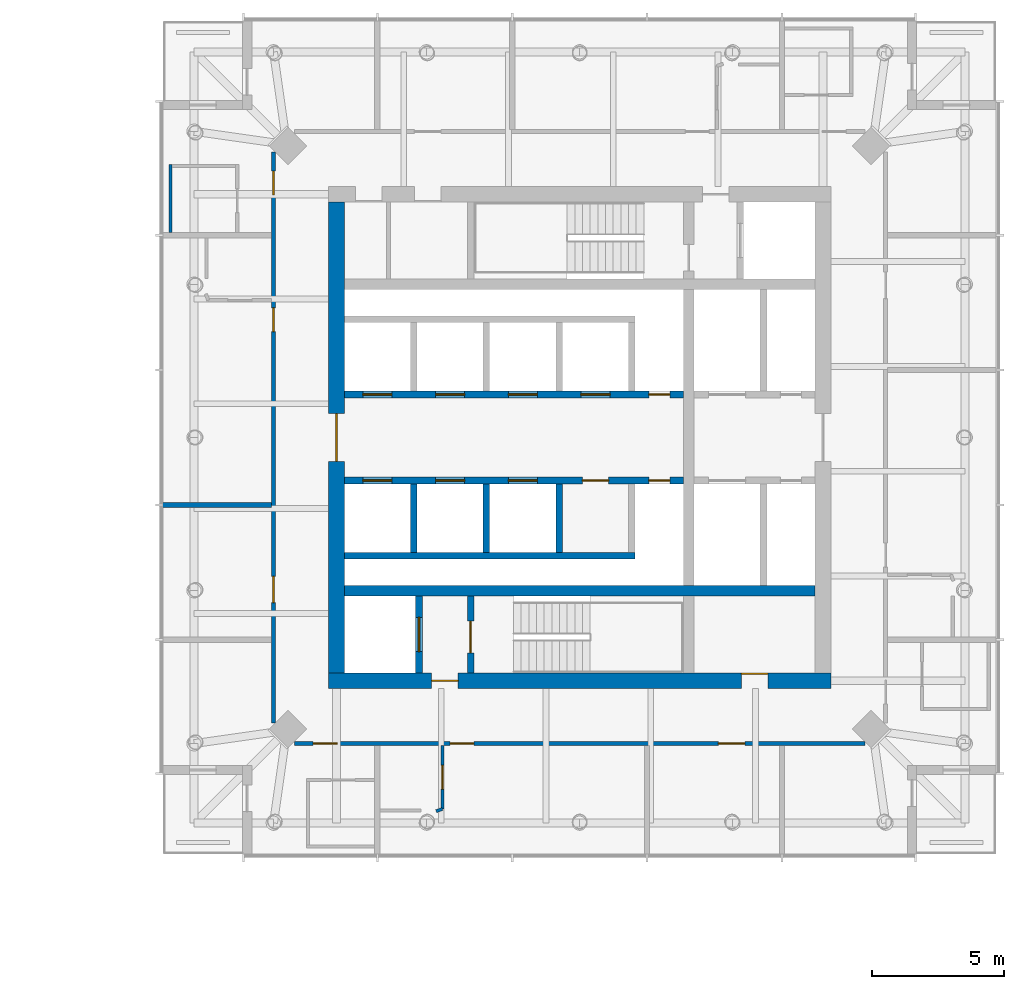
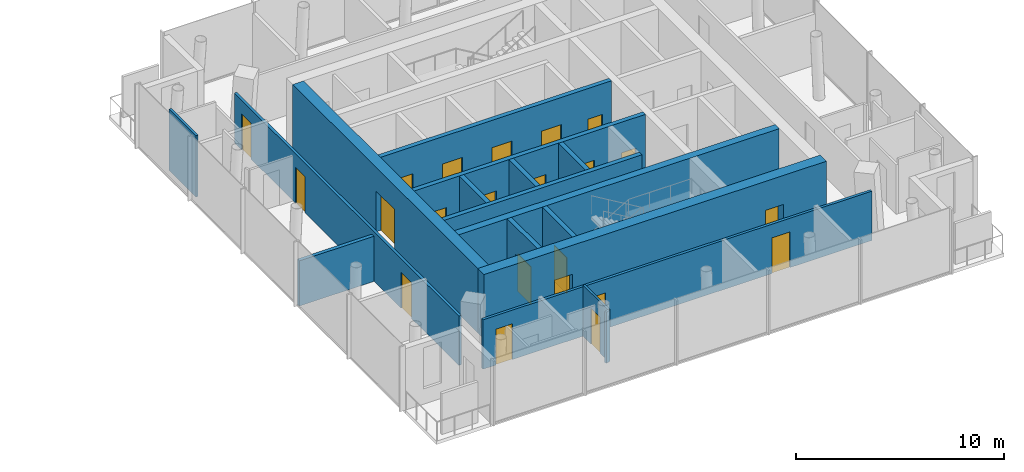
# One storey, part 13 of 18: 22 doors, 17 walls, 22 openings.
"""IFC4 building model written with IfcOpenShell, lengths in metres."""

from ifc_helpers import new_model, si_unit, direction, frame, frame_2d, origin, place, context, subcontext, project, spatial, rectangle, extrude, material, layer, layer_set, type_object, element, fill, save


model = new_model("IFC4")

# Units and contexts
model_context = context("Model", 3, precision=1e-05, world=origin(), true_north=direction((0.0, 1.0)))
body_context = subcontext(model_context, "Body", "Model", "MODEL_VIEW")
ifc_project = project(units=[si_unit("LENGTHUNIT", "METRE"), si_unit("AREAUNIT", "SQUARE_METRE"), si_unit("VOLUMEUNIT", "CUBIC_METRE"), si_unit("PLANEANGLEUNIT", "RADIAN"), si_unit("MASSUNIT", "GRAM", prefix="KILO")], contexts=[model_context])

# Site, building, storey
site_placement = place(None, origin())
site = spatial("IfcSite", under=ifc_project, at=site_placement, CompositionType="ELEMENT")
building_placement = place(site_placement, origin())
building = spatial("IfcBuilding", under=site, at=building_placement, Name="Ostroluk Exchange", CompositionType="ELEMENT")
storey_placement = place(building_placement, frame((0.0, 0.0, 123.60009765625)))
storey = spatial("IfcBuildingStorey", under=building, at=storey_placement, Name="L31", CompositionType="ELEMENT", Elevation=123.60009765625)

# Wall
ifc_material_1 = material(Name="Concrete C50/60", Category="concrete")
ifc_layer_1 = layer(ifc_material_1, 0.39990234375)
ifc_layer_set_1 = layer_set([ifc_layer_1], Name="Core cross wall 400 C50/60")
wall_type_1 = type_object("IfcWallType", Name="Core cross wall 400 C50/60", PredefinedType="SHEAR", material=ifc_layer_set_1)
wall_1_placement = place(storey_placement, frame((108.10009765625, 40.199951171875, 0.0), z_axis=(0.0, 0.0, 1.0), x_axis=(1.0, 0.0, 0.0)))
element("IfcWall", 1, at=wall_1_placement, inside=storey, type_object=wall_type_1, Name="T2 core wall XS", PredefinedType="SHEAR", context=body_context, shape_type="SweptSolid", body=[
    extrude(rectangle(XDim=17.7998046875, YDim=0.39990234375, at=frame_2d((8.89990234375, 0.0))), origin(), (0.0, 0.0, 1.0), 3.7998046875),
])

# Wall, opening, door
ifc_material_2 = material(Name="Concrete C40/50", Category="concrete")
ifc_layer_2 = layer(ifc_material_2, 0.25)
ifc_layer_set_2 = layer_set([ifc_layer_2], Name="Core shaft wall 250")
wall_type_2 = type_object("IfcWallType", Name="Core shaft wall 250", PredefinedType="SHEAR", material=ifc_layer_set_2)
wall_2_placement = place(storey_placement, frame((110.925048828125, 37.10009765625, 0.0), z_axis=(0.0, 0.0, 1.0), x_axis=(0.0, 1.0, 0.0)))
wall_2 = element("IfcWall", 2, at=wall_2_placement, inside=storey, type_object=wall_type_2, Name="Firefighting lift shaft wall", PredefinedType="SHEAR", context=body_context, shape_type="SweptSolid", body=[
    extrude(rectangle(XDim=2.89990234375, YDim=0.25, at=frame_2d((1.449951171875, 0.0))), origin(), (0.0, 0.0, 1.0), 3.7998046875),
])
opening_1_placement = place(wall_2_placement, frame((0.800048828125, 0.0, 0.0)))
opening_1 = element("IfcOpeningElement", 3, at=opening_1_placement, cuts=wall_2, Name="Opening LD2", PredefinedType="OPENING", context=body_context, shape_type="SweptSolid", body=[
    extrude(rectangle(XDim=1.300048828125, YDim=2.199951171875, at=frame_2d((0.64990234375, 1.10009765625))), frame((0.0, 0.135009765625, 0.0), z_axis=(0.0, -1.0, 0.0), x_axis=(1.0, 0.0, 0.0)), (0.0, 0.0, 1.0), 0.27001953125),
])
ifc_material_3 = material(Name="Stainless steel", Category="steel")
door_type_1 = type_object("IfcDoorType", Name="Lift landing door E 60 1300 x 2200", OperationType="DOUBLE_DOOR_SLIDING", PredefinedType="DOOR", material=ifc_material_3)
door_1_placement = place(opening_1_placement, origin())
door_1 = element("IfcDoor", 4, at=door_1_placement, inside=storey, type_object=door_type_1, Name="Lift HF1 landing door", OperationType="DOUBLE_DOOR_SLIDING", OverallHeight=2.199951171875, OverallWidth=1.300048828125, PredefinedType="DOOR", context=body_context, shape_type="SweptSolid", body=[
    extrude(rectangle(XDim=1.300048828125, YDim=2.199951171875, at=frame_2d((0.64990234375, 1.10009765625))), frame((0.0, 0.02490234375, 0.0), z_axis=(0.0, -1.0, 0.0), x_axis=(1.0, 0.0, 0.0)), (0.0, 0.0, 1.0), 0.050048828125),
])
fill(opening_1, door_1)

wall_3_placement = place(storey_placement, frame((112.875, 37.10009765625, 0.0), z_axis=(0.0, 0.0, 1.0), x_axis=(0.0, 1.0, 0.0)))
wall_3 = element("IfcWall", 5, at=wall_3_placement, inside=storey, type_object=wall_type_2, Name="Stair shaft wall", PredefinedType="SHEAR", context=body_context, shape_type="SweptSolid", body=[
    extrude(rectangle(XDim=2.89990234375, YDim=0.25, at=frame_2d((1.449951171875, 0.0))), origin(), (0.0, 0.0, 1.0), 3.7998046875),
])
opening_2_placement = place(wall_3_placement, frame((0.75, 0.0, 0.0)))
opening_2 = element("IfcOpeningElement", 6, at=opening_2_placement, cuts=wall_3, Name="Opening FD60S", PredefinedType="OPENING", context=body_context, shape_type="SweptSolid", body=[
    extrude(rectangle(XDim=1.199951171875, YDim=2.10009765625, at=frame_2d((0.60009765625, 1.050048828125))), frame((0.0, 0.135009765625, 0.0), z_axis=(0.0, -1.0, 0.0), x_axis=(1.0, 0.0, 0.0)), (0.0, 0.0, 1.0), 0.27001953125),
])
ifc_material_4 = material(Name="Steel", Category="steel")
door_type_2 = type_object("IfcDoorType", Name="Stair door EI 60 1200 x 2100", OperationType="SINGLE_SWING_LEFT", PredefinedType="DOOR", material=ifc_material_4)
door_2_placement = place(opening_2_placement, origin())
door_2 = element("IfcDoor", 7, at=door_2_placement, inside=storey, type_object=door_type_2, Name="Stair T2-S1 door", OperationType="SINGLE_SWING_LEFT", OverallHeight=2.10009765625, OverallWidth=1.199951171875, PredefinedType="DOOR", context=body_context, shape_type="SweptSolid", body=[
    extrude(rectangle(XDim=1.199951171875, YDim=2.10009765625, at=frame_2d((0.60009765625, 1.050048828125))), frame((0.0, 0.02490234375, 0.0), z_axis=(0.0, -1.0, 0.0), x_axis=(1.0, 0.0, 0.0)), (0.0, 0.0, 1.0), 0.050048828125),
])
fill(opening_2, door_2)

# Wall, openings, doors
wall_4_placement = place(storey_placement, frame((108.10009765625, 47.625, 0.0), z_axis=(0.0, 0.0, 1.0), x_axis=(1.0, 0.0, 0.0)))
wall_4 = element("IfcWall", 8, at=wall_4_placement, inside=storey, type_object=wall_type_2, Name="Lift shaft front wall", PredefinedType="SHEAR", context=body_context, shape_type="SweptSolid", body=[
    extrude(rectangle(XDim=12.829833984375, YDim=0.25, at=frame_2d((6.4150390625, 0.0))), origin(), (0.0, 0.0, 1.0), 3.7998046875),
])
opening_3_placement = place(wall_4_placement, frame((0.699951171875, 0.0, 0.0)))
opening_3 = element("IfcOpeningElement", 9, at=opening_3_placement, cuts=wall_4, Name="Opening LD", PredefinedType="OPENING", context=body_context, shape_type="SweptSolid", body=[
    extrude(rectangle(XDim=1.10009765625, YDim=2.199951171875, at=frame_2d((0.550048828125, 1.10009765625))), frame((0.0, 0.135009765625, 0.0), z_axis=(0.0, -1.0, 0.0), x_axis=(1.0, 0.0, 0.0)), (0.0, 0.0, 1.0), 0.27001953125),
])
opening_4_placement = place(wall_4_placement, frame((3.449951171875, 0.0, 0.0)))
opening_4 = element("IfcOpeningElement", 10, at=opening_4_placement, cuts=wall_4, Name="Opening LD", PredefinedType="OPENING", context=body_context, shape_type="SweptSolid", body=[
    extrude(rectangle(XDim=1.10009765625, YDim=2.199951171875, at=frame_2d((0.550048828125, 1.10009765625))), frame((0.0, 0.135009765625, 0.0), z_axis=(0.0, -1.0, 0.0), x_axis=(1.0, 0.0, 0.0)), (0.0, 0.0, 1.0), 0.27001953125),
])
opening_5_placement = place(wall_4_placement, frame((6.199951171875, 0.0, 0.0)))
opening_5 = element("IfcOpeningElement", 11, at=opening_5_placement, cuts=wall_4, Name="Opening LD", PredefinedType="OPENING", context=body_context, shape_type="SweptSolid", body=[
    extrude(rectangle(XDim=1.10009765625, YDim=2.199951171875, at=frame_2d((0.550048828125, 1.10009765625))), frame((0.0, 0.135009765625, 0.0), z_axis=(0.0, -1.0, 0.0), x_axis=(1.0, 0.0, 0.0)), (0.0, 0.0, 1.0), 0.27001953125),
])
opening_6_placement = place(wall_4_placement, frame((8.949951171875, 0.0, 0.0)))
opening_6 = element("IfcOpeningElement", 12, at=opening_6_placement, cuts=wall_4, Name="Opening LD", PredefinedType="OPENING", context=body_context, shape_type="SweptSolid", body=[
    extrude(rectangle(XDim=1.10009765625, YDim=2.199951171875, at=frame_2d((0.550048828125, 1.10009765625))), frame((0.0, 0.135009765625, 0.0), z_axis=(0.0, -1.0, 0.0), x_axis=(1.0, 0.0, 0.0)), (0.0, 0.0, 1.0), 0.27001953125),
])
opening_7_placement = place(wall_4_placement, frame((11.514892578125, 0.0, 0.0)))
opening_7 = element("IfcOpeningElement", 13, at=opening_7_placement, cuts=wall_4, Name="Opening RD60", PredefinedType="OPENING", context=body_context, shape_type="SweptSolid", body=[
    extrude(rectangle(XDim=0.800048828125, YDim=2.0, at=frame_2d((0.39990234375, 1.0))), frame((0.0, 0.135009765625, 0.0), z_axis=(0.0, -1.0, 0.0), x_axis=(1.0, 0.0, 0.0)), (0.0, 0.0, 1.0), 0.27001953125),
])
ifc_material_5 = material(Name="Stainless steel", Category="steel")
door_type_3 = type_object("IfcDoorType", Name="Lift landing door E 60 1100 x 2200", OperationType="DOUBLE_DOOR_SLIDING", PredefinedType="DOOR", material=ifc_material_5)
door_3_placement = place(opening_3_placement, origin())
door_3 = element("IfcDoor", 14, at=door_3_placement, inside=storey, type_object=door_type_3, Name="Lift HL1 landing door", OperationType="DOUBLE_DOOR_SLIDING", OverallHeight=2.199951171875, OverallWidth=1.10009765625, PredefinedType="DOOR", context=body_context, shape_type="SweptSolid", body=[
    extrude(rectangle(XDim=1.10009765625, YDim=2.199951171875, at=frame_2d((0.550048828125, 1.10009765625))), frame((0.0, 0.02490234375, 0.0), z_axis=(0.0, -1.0, 0.0), x_axis=(1.0, 0.0, 0.0)), (0.0, 0.0, 1.0), 0.050048828125),
])
fill(opening_3, door_3)
door_4_placement = place(opening_4_placement, origin())
door_4 = element("IfcDoor", 15, at=door_4_placement, inside=storey, type_object=door_type_3, Name="Lift HL2 landing door", OperationType="DOUBLE_DOOR_SLIDING", OverallHeight=2.199951171875, OverallWidth=1.10009765625, PredefinedType="DOOR", context=body_context, shape_type="SweptSolid", body=[
    extrude(rectangle(XDim=1.10009765625, YDim=2.199951171875, at=frame_2d((0.550048828125, 1.10009765625))), frame((0.0, 0.02490234375, 0.0), z_axis=(0.0, -1.0, 0.0), x_axis=(1.0, 0.0, 0.0)), (0.0, 0.0, 1.0), 0.050048828125),
])
fill(opening_4, door_4)
door_5_placement = place(opening_5_placement, origin())
door_5 = element("IfcDoor", 16, at=door_5_placement, inside=storey, type_object=door_type_3, Name="Lift HL3 landing door", OperationType="DOUBLE_DOOR_SLIDING", OverallHeight=2.199951171875, OverallWidth=1.10009765625, PredefinedType="DOOR", context=body_context, shape_type="SweptSolid", body=[
    extrude(rectangle(XDim=1.10009765625, YDim=2.199951171875, at=frame_2d((0.550048828125, 1.10009765625))), frame((0.0, 0.02490234375, 0.0), z_axis=(0.0, -1.0, 0.0), x_axis=(1.0, 0.0, 0.0)), (0.0, 0.0, 1.0), 0.050048828125),
])
fill(opening_5, door_5)
door_6_placement = place(opening_6_placement, origin())
door_6 = element("IfcDoor", 17, at=door_6_placement, inside=storey, type_object=door_type_3, Name="Lift HL4 landing door", OperationType="DOUBLE_DOOR_SLIDING", OverallHeight=2.199951171875, OverallWidth=1.10009765625, PredefinedType="DOOR", context=body_context, shape_type="SweptSolid", body=[
    extrude(rectangle(XDim=1.10009765625, YDim=2.199951171875, at=frame_2d((0.550048828125, 1.10009765625))), frame((0.0, 0.02490234375, 0.0), z_axis=(0.0, -1.0, 0.0), x_axis=(1.0, 0.0, 0.0)), (0.0, 0.0, 1.0), 0.050048828125),
])
fill(opening_6, door_6)
ifc_material_6 = material(Name="Steel", Category="steel")
door_type_4 = type_object("IfcDoorType", Name="Riser access door EI 60 800 x 2000", OperationType="SINGLE_SWING_LEFT", PredefinedType="DOOR", material=ifc_material_6)
door_7_placement = place(opening_7_placement, origin())
door_7 = element("IfcDoor", 18, at=door_7_placement, inside=storey, type_object=door_type_4, Name="Riser access door", OperationType="SINGLE_SWING_RIGHT", OverallHeight=2.0, OverallWidth=0.800048828125, PredefinedType="DOOR", context=body_context, shape_type="SweptSolid", body=[
    extrude(rectangle(XDim=0.800048828125, YDim=2.0, at=frame_2d((0.39990234375, 1.0))), frame((0.0, 0.02490234375, 0.0), z_axis=(0.0, -1.0, 0.0), x_axis=(1.0, 0.0, 0.0)), (0.0, 0.0, 1.0), 0.050048828125),
])
fill(opening_7, door_7)

# Walls
for number, where, z_axis, x_axis, name in (
    (19, (110.72509765625, 44.25, 0.0), (0.0, 0.0, 1.0), (0.0, -1.0, 0.0), "Lift shaft wall"),
    (20, (113.47509765625, 44.25, 0.0), (0.0, 0.0, 1.0), (0.0, -1.0, 0.0), "Lift shaft wall"),
    (21, (116.22509765625, 44.25, 0.0), (0.0, 0.0, 1.0), (0.0, -1.0, 0.0), "Lift shaft wall"),
):
    element("IfcWall", number, at=place(storey_placement, frame(where, z_axis=z_axis, x_axis=x_axis)), inside=storey, type_object=wall_type_2, Name=name, PredefinedType="SHEAR", context=body_context, shape_type="SweptSolid", body=[
        extrude(rectangle(XDim=2.60009765625, YDim=0.25, at=frame_2d((1.300048828125, 0.0))), origin(), (0.0, 0.0, 1.0), 3.7998046875),
    ])
wall_5_placement = place(storey_placement, frame((108.10009765625, 41.52490234375, 0.0), z_axis=(0.0, 0.0, 1.0), x_axis=(1.0, 0.0, 0.0)))
element("IfcWall", 22, at=wall_5_placement, inside=storey, type_object=wall_type_2, Name="Lift shaft wall", PredefinedType="SHEAR", context=body_context, shape_type="SweptSolid", body=[
    extrude(rectangle(XDim=11.0, YDim=0.25, at=frame_2d((5.5, 0.0))), origin(), (0.0, 0.0, 1.0), 3.7998046875),
])

# Wall, openings, doors
wall_6_placement = place(storey_placement, frame((108.10009765625, 44.375, 0.0), z_axis=(0.0, 0.0, 1.0), x_axis=(1.0, 0.0, 0.0)))
wall_6 = element("IfcWall", 23, at=wall_6_placement, inside=storey, type_object=wall_type_2, Name="Lift shaft front wall", PredefinedType="SHEAR", context=body_context, shape_type="SweptSolid", body=[
    extrude(rectangle(XDim=12.829833984375, YDim=0.25, at=frame_2d((6.4150390625, 0.0))), origin(), (0.0, 0.0, 1.0), 3.7998046875),
])
opening_8_placement = place(wall_6_placement, frame((0.699951171875, 0.0, 0.0)))
opening_8 = element("IfcOpeningElement", 24, at=opening_8_placement, cuts=wall_6, Name="Opening LD", PredefinedType="OPENING", context=body_context, shape_type="SweptSolid", body=[
    extrude(rectangle(XDim=1.10009765625, YDim=2.199951171875, at=frame_2d((0.550048828125, 1.10009765625))), frame((0.0, 0.135009765625, 0.0), z_axis=(0.0, -1.0, 0.0), x_axis=(1.0, 0.0, 0.0)), (0.0, 0.0, 1.0), 0.27001953125),
])
opening_9_placement = place(wall_6_placement, frame((3.449951171875, 0.0, 0.0)))
opening_9 = element("IfcOpeningElement", 25, at=opening_9_placement, cuts=wall_6, Name="Opening LD", PredefinedType="OPENING", context=body_context, shape_type="SweptSolid", body=[
    extrude(rectangle(XDim=1.10009765625, YDim=2.199951171875, at=frame_2d((0.550048828125, 1.10009765625))), frame((0.0, 0.135009765625, 0.0), z_axis=(0.0, -1.0, 0.0), x_axis=(1.0, 0.0, 0.0)), (0.0, 0.0, 1.0), 0.27001953125),
])
opening_10_placement = place(wall_6_placement, frame((6.199951171875, 0.0, 0.0)))
opening_10 = element("IfcOpeningElement", 26, at=opening_10_placement, cuts=wall_6, Name="Opening LD", PredefinedType="OPENING", context=body_context, shape_type="SweptSolid", body=[
    extrude(rectangle(XDim=1.10009765625, YDim=2.199951171875, at=frame_2d((0.550048828125, 1.10009765625))), frame((0.0, 0.135009765625, 0.0), z_axis=(0.0, -1.0, 0.0), x_axis=(1.0, 0.0, 0.0)), (0.0, 0.0, 1.0), 0.27001953125),
])
opening_11_placement = place(wall_6_placement, frame((9.0, 0.0, 0.0)))
opening_11 = element("IfcOpeningElement", 27, at=opening_11_placement, cuts=wall_6, Name="Opening FD60", PredefinedType="OPENING", context=body_context, shape_type="SweptSolid", body=[
    extrude(rectangle(XDim=1.0, YDim=2.10009765625, at=frame_2d((0.5, 1.050048828125))), frame((0.0, 0.135009765625, 0.0), z_axis=(0.0, -1.0, 0.0), x_axis=(1.0, 0.0, 0.0)), (0.0, 0.0, 1.0), 0.27001953125),
])
opening_12_placement = place(wall_6_placement, frame((11.514892578125, 0.0, 0.0)))
opening_12 = element("IfcOpeningElement", 28, at=opening_12_placement, cuts=wall_6, Name="Opening RD60", PredefinedType="OPENING", context=body_context, shape_type="SweptSolid", body=[
    extrude(rectangle(XDim=0.800048828125, YDim=2.0, at=frame_2d((0.39990234375, 1.0))), frame((0.0, 0.135009765625, 0.0), z_axis=(0.0, -1.0, 0.0), x_axis=(1.0, 0.0, 0.0)), (0.0, 0.0, 1.0), 0.27001953125),
])
ifc_material_7 = material(Name="Steel", Category="steel")
door_type_5 = type_object("IfcDoorType", Name="Fire door EI 60 1000 x 2100", OperationType="SINGLE_SWING_LEFT", PredefinedType="DOOR", material=ifc_material_7)
door_8_placement = place(opening_11_placement, origin())
door_8 = element("IfcDoor", 29, at=door_8_placement, inside=storey, type_object=door_type_5, Name="Core room door", OperationType="SINGLE_SWING_RIGHT", OverallHeight=2.10009765625, OverallWidth=1.0, PredefinedType="DOOR", context=body_context, shape_type="SweptSolid", body=[
    extrude(rectangle(XDim=1.0, YDim=2.10009765625, at=frame_2d((0.5, 1.050048828125))), frame((0.0, 0.02490234375, 0.0), z_axis=(0.0, -1.0, 0.0), x_axis=(1.0, 0.0, 0.0)), (0.0, 0.0, 1.0), 0.050048828125),
])
fill(opening_11, door_8)
door_9_placement = place(opening_8_placement, origin())
door_9 = element("IfcDoor", 30, at=door_9_placement, inside=storey, type_object=door_type_3, Name="Lift HL5 landing door", OperationType="DOUBLE_DOOR_SLIDING", OverallHeight=2.199951171875, OverallWidth=1.10009765625, PredefinedType="DOOR", context=body_context, shape_type="SweptSolid", body=[
    extrude(rectangle(XDim=1.10009765625, YDim=2.199951171875, at=frame_2d((0.550048828125, 1.10009765625))), frame((0.0, 0.02490234375, 0.0), z_axis=(0.0, -1.0, 0.0), x_axis=(1.0, 0.0, 0.0)), (0.0, 0.0, 1.0), 0.050048828125),
])
fill(opening_8, door_9)
door_10_placement = place(opening_9_placement, origin())
door_10 = element("IfcDoor", 31, at=door_10_placement, inside=storey, type_object=door_type_3, Name="Lift HL6 landing door", OperationType="DOUBLE_DOOR_SLIDING", OverallHeight=2.199951171875, OverallWidth=1.10009765625, PredefinedType="DOOR", context=body_context, shape_type="SweptSolid", body=[
    extrude(rectangle(XDim=1.10009765625, YDim=2.199951171875, at=frame_2d((0.550048828125, 1.10009765625))), frame((0.0, 0.02490234375, 0.0), z_axis=(0.0, -1.0, 0.0), x_axis=(1.0, 0.0, 0.0)), (0.0, 0.0, 1.0), 0.050048828125),
])
fill(opening_9, door_10)
door_11_placement = place(opening_10_placement, origin())
door_11 = element("IfcDoor", 32, at=door_11_placement, inside=storey, type_object=door_type_3, Name="Lift HL7 landing door", OperationType="DOUBLE_DOOR_SLIDING", OverallHeight=2.199951171875, OverallWidth=1.10009765625, PredefinedType="DOOR", context=body_context, shape_type="SweptSolid", body=[
    extrude(rectangle(XDim=1.10009765625, YDim=2.199951171875, at=frame_2d((0.550048828125, 1.10009765625))), frame((0.0, 0.02490234375, 0.0), z_axis=(0.0, -1.0, 0.0), x_axis=(1.0, 0.0, 0.0)), (0.0, 0.0, 1.0), 0.050048828125),
])
fill(opening_10, door_11)
door_12_placement = place(opening_12_placement, origin())
door_12 = element("IfcDoor", 33, at=door_12_placement, inside=storey, type_object=door_type_4, Name="Riser access door", OperationType="SINGLE_SWING_RIGHT", OverallHeight=2.0, OverallWidth=0.800048828125, PredefinedType="DOOR", context=body_context, shape_type="SweptSolid", body=[
    extrude(rectangle(XDim=0.800048828125, YDim=2.0, at=frame_2d((0.39990234375, 1.0))), frame((0.0, 0.02490234375, 0.0), z_axis=(0.0, -1.0, 0.0), x_axis=(1.0, 0.0, 0.0)), (0.0, 0.0, 1.0), 0.050048828125),
])
fill(opening_12, door_12)

ifc_material_8 = material(Name="Concrete C50/60", Category="concrete")
ifc_layer_3 = layer(ifc_material_8, 0.60009765625)
ifc_layer_set_3 = layer_set([ifc_layer_3], Name="Core wall 600 C50/60")
wall_type_3 = type_object("IfcWallType", Name="Core wall 600 C50/60", PredefinedType="SHEAR", material=ifc_layer_set_3)
wall_7_placement = place(storey_placement, frame((107.5, 36.800048828125, 0.0), z_axis=(0.0, 0.0, 1.0), x_axis=(1.0, 0.0, 0.0)))
wall_7 = element("IfcWall", 34, at=wall_7_placement, inside=storey, type_object=wall_type_3, Name="T2 core wall S", PredefinedType="SHEAR", context=body_context, shape_type="SweptSolid", body=[
    extrude(rectangle(XDim=19.0, YDim=0.60009765625, at=frame_2d((9.5, 0.0))), origin(), (0.0, 0.0, 1.0), 3.7998046875),
])
opening_13_placement = place(wall_7_placement, frame((3.89990234375, 0.0, 0.0)))
opening_13 = element("IfcOpeningElement", 35, at=opening_13_placement, cuts=wall_7, Name="Opening FD60", PredefinedType="OPENING", context=body_context, shape_type="SweptSolid", body=[
    extrude(rectangle(XDim=1.0, YDim=2.10009765625, at=frame_2d((0.5, 1.050048828125))), frame((0.0, 0.31005859375, 0.0), z_axis=(0.0, -1.0, 0.0), x_axis=(1.0, 0.0, 0.0)), (0.0, 0.0, 1.0), 0.6201171875),
])
opening_14_placement = place(wall_7_placement, frame((15.614990234375, 0.0, 0.0)))
opening_14 = element("IfcOpeningElement", 36, at=opening_14_placement, cuts=wall_7, Name="Opening FD60", PredefinedType="OPENING", context=body_context, shape_type="SweptSolid", body=[
    extrude(rectangle(XDim=1.0, YDim=2.10009765625, at=frame_2d((0.5, 1.050048828125))), frame((0.0, 0.31005859375, 0.0), z_axis=(0.0, -1.0, 0.0), x_axis=(1.0, 0.0, 0.0)), (0.0, 0.0, 1.0), 0.6201171875),
])
door_13_placement = place(opening_13_placement, origin())
door_13 = element("IfcDoor", 37, at=door_13_placement, inside=storey, type_object=door_type_5, Name="Firefighting lobby door", OperationType="SINGLE_SWING_LEFT", OverallHeight=2.10009765625, OverallWidth=1.0, PredefinedType="DOOR", context=body_context, shape_type="SweptSolid", body=[
    extrude(rectangle(XDim=1.0, YDim=2.10009765625, at=frame_2d((0.5, 1.050048828125))), frame((0.0, 0.02490234375, 0.0), z_axis=(0.0, -1.0, 0.0), x_axis=(1.0, 0.0, 0.0)), (0.0, 0.0, 1.0), 0.050048828125),
])
fill(opening_13, door_13)
door_14_placement = place(opening_14_placement, origin())
door_14 = element("IfcDoor", 38, at=door_14_placement, inside=storey, type_object=door_type_5, Name="Room-service pantry door", OperationType="SINGLE_SWING_RIGHT", OverallHeight=2.10009765625, OverallWidth=1.0, PredefinedType="DOOR", context=body_context, shape_type="SweptSolid", body=[
    extrude(rectangle(XDim=1.0, YDim=2.10009765625, at=frame_2d((0.5, 1.050048828125))), frame((0.0, 0.2900390625, 0.0), z_axis=(0.0, -1.0, 0.0), x_axis=(1.0, 0.0, 0.0)), (0.0, 0.0, 1.0), 0.050048828125),
])
fill(opening_14, door_14)

# Wall, opening, door
wall_8_placement = place(storey_placement, frame((107.800048828125, 37.10009765625, 0.0), z_axis=(0.0, 0.0, 1.0), x_axis=(0.0, 1.0, 0.0)))
wall_8 = element("IfcWall", 39, at=wall_8_placement, inside=storey, type_object=wall_type_3, Name="T2 core wall W", PredefinedType="SHEAR", context=body_context, shape_type="SweptSolid", body=[
    extrude(rectangle(XDim=17.7998046875, YDim=0.60009765625, at=frame_2d((8.89990234375, 0.0))), origin(), (0.0, 0.0, 1.0), 3.7998046875),
])
opening_15_placement = place(wall_8_placement, frame((8.0, 0.0, 0.0)))
opening_15 = element("IfcOpeningElement", 40, at=opening_15_placement, cuts=wall_8, Name="Opening FD30D", PredefinedType="OPENING", context=body_context, shape_type="SweptSolid", body=[
    extrude(rectangle(XDim=1.800048828125, YDim=2.39990234375, at=frame_2d((0.89990234375, 1.199951171875))), frame((0.0, 0.31005859375, 0.0), z_axis=(0.0, -1.0, 0.0), x_axis=(1.0, 0.0, 0.0)), (0.0, 0.0, 1.0), 0.6201171875),
])
ifc_material_9 = material(Name="Timber", Category="wood")
door_type_6 = type_object("IfcDoorType", Name="Lobby double door EI 30 1800 x 2400", OperationType="DOUBLE_DOOR_SINGLE_SWING", PredefinedType="DOOR", material=ifc_material_9)
door_15_placement = place(opening_15_placement, origin())
door_15 = element("IfcDoor", 41, at=door_15_placement, inside=storey, type_object=door_type_6, Name="Lift lobby doors", OperationType="DOUBLE_DOOR_SINGLE_SWING", OverallHeight=2.39990234375, OverallWidth=1.800048828125, PredefinedType="DOOR", context=body_context, shape_type="SweptSolid", body=[
    extrude(rectangle(XDim=1.800048828125, YDim=2.39990234375, at=frame_2d((0.89990234375, 1.199951171875))), frame((0.0, 0.02490234375, 0.0), z_axis=(0.0, -1.0, 0.0), x_axis=(1.0, 0.0, 0.0)), (0.0, 0.0, 1.0), 0.050048828125),
])
fill(opening_15, door_15)

# Wall
ifc_material_10 = material(Name="Gypsum plasterboard partition, moisture resistant", Category="gypsum")
ifc_layer_4 = layer(ifc_material_10, 0.1201171875)
ifc_layer_set_4 = layer_set([ifc_layer_4], Name="Plasterboard en-suite wall 120")
wall_type_4 = type_object("IfcWallType", Name="Plasterboard en-suite wall 120", PredefinedType="PARTITIONING", material=ifc_layer_set_4)
wall_9_placement = place(storey_placement, frame((101.530029296875, 53.75, 0.0), z_axis=(0.0, 0.0, 1.0), x_axis=(0.0, 1.0, 0.0)))
element("IfcWall", 42, at=wall_9_placement, inside=storey, type_object=wall_type_4, Name="En-suite wall", PredefinedType="PARTITIONING", context=body_context, shape_type="SweptSolid", body=[
    extrude(rectangle(XDim=2.580078125, YDim=0.1201171875, at=frame_2d((1.2900390625, 0.0))), origin(), (0.0, 0.0, 1.0), 3.599853515625),
])

# Wall, opening, door
wall_10_placement = place(storey_placement, frame((111.81005859375, 34.35009765625, 0.0), z_axis=(0.0, 0.0, 1.0), x_axis=(0.0, -1.0, 0.0)))
wall_10 = element("IfcWall", 43, at=wall_10_placement, inside=storey, type_object=wall_type_4, Name="En-suite wall", PredefinedType="PARTITIONING", context=body_context, shape_type="SweptSolid", body=[
    extrude(rectangle(XDim=2.400146484375, YDim=0.1201171875, at=frame_2d((1.2001953125, 0.0))), origin(), (0.0, 0.0, 1.0), 3.0),
])
opening_16_placement = place(wall_10_placement, frame((0.75, 0.0, 0.0)))
opening_16 = element("IfcOpeningElement", 44, at=opening_16_placement, cuts=wall_10, Name="Opening D-02", PredefinedType="OPENING", context=body_context, shape_type="SweptSolid", body=[
    extrude(rectangle(XDim=0.89990234375, YDim=2.10009765625, at=frame_2d((0.449951171875, 1.050048828125))), frame((0.0, 0.070068359375, 0.0), z_axis=(0.0, -1.0, 0.0), x_axis=(1.0, 0.0, 0.0)), (0.0, 0.0, 1.0), 0.14013671875),
])
ifc_material_11 = material(Name="Timber", Category="wood")
door_type_7 = type_object("IfcDoorType", Name="En-suite door 900 x 2100", OperationType="SINGLE_SWING_LEFT", PredefinedType="DOOR", material=ifc_material_11)
door_16_placement = place(opening_16_placement, origin())
door_16 = element("IfcDoor", 45, at=door_16_placement, inside=storey, type_object=door_type_7, Name="En-suite door 3108", OperationType="SINGLE_SWING_LEFT", OverallHeight=2.10009765625, OverallWidth=0.89990234375, PredefinedType="DOOR", context=body_context, shape_type="SweptSolid", body=[
    extrude(rectangle(XDim=0.89990234375, YDim=2.10009765625, at=frame_2d((0.449951171875, 1.050048828125))), frame((0.0, 0.02490234375, 0.0), z_axis=(0.0, -1.0, 0.0), x_axis=(1.0, 0.0, 0.0)), (0.0, 0.0, 1.0), 0.050048828125),
])
fill(opening_16, door_16)

# Wall
wall_11_placement = place(storey_placement, frame((111.81005859375, 31.949951171875, 0.0), z_axis=(0.0, 0.0, 1.0), x_axis=(-0.942506501315, -0.33418781393, 0.0)))
element("IfcWall", 46, at=wall_11_placement, inside=storey, type_object=wall_type_4, Name="En-suite wall", PredefinedType="PARTITIONING", context=body_context, shape_type="SweptSolid", body=[
    extrude(rectangle(XDim=0.251953125, YDim=0.1201171875, at=frame_2d((0.1259765625, 0.0))), origin(), (0.0, 0.0, 1.0), 3.0),
])

# Wall, openings, doors
ifc_material_12 = material(Name="Gypsum plasterboard partition", Category="gypsum")
ifc_layer_5 = layer(ifc_material_12, 0.14990234375)
ifc_layer_set_5 = layer_set([ifc_layer_5], Name="Plasterboard partition 150")
wall_type_5 = type_object("IfcWallType", Name="Plasterboard partition 150", PredefinedType="PARTITIONING", material=ifc_layer_set_5)
wall_12_placement = place(storey_placement, frame((105.425048828125, 56.79296875, 0.0), z_axis=(0.0, 0.0, 1.0), x_axis=(0.0, -1.0, 0.0)))
wall_12 = element("IfcWall", 47, at=wall_12_placement, inside=storey, type_object=wall_type_5, Name="Corridor wall", PredefinedType="PARTITIONING", context=body_context, shape_type="SweptSolid", body=[
    extrude(rectangle(XDim=21.5859375, YDim=0.14990234375, at=frame_2d((10.79296875, 0.0))), origin(), (0.0, 0.0, 1.0), 2.89990234375),
])
opening_17_placement = place(wall_12_placement, frame((0.7177734375, 0.0, 0.0)))
opening_17 = element("IfcOpeningElement", 48, at=opening_17_placement, cuts=wall_12, Name="Opening D-01", PredefinedType="OPENING", context=body_context, shape_type="SweptSolid", body=[
    extrude(rectangle(XDim=0.89990234375, YDim=2.10009765625, at=frame_2d((0.449951171875, 1.050048828125))), frame((0.0, 0.0849609375, 0.0), z_axis=(0.0, -1.0, 0.0), x_axis=(1.0, 0.0, 0.0)), (0.0, 0.0, 1.0), 0.169921875),
])
opening_18_placement = place(wall_12_placement, frame((5.892822265625, 0.0, 0.0)))
opening_18 = element("IfcOpeningElement", 49, at=opening_18_placement, cuts=wall_12, Name="Opening D-01", PredefinedType="OPENING", context=body_context, shape_type="SweptSolid", body=[
    extrude(rectangle(XDim=0.89990234375, YDim=2.10009765625, at=frame_2d((0.449951171875, 1.050048828125))), frame((0.0, 0.0849609375, 0.0), z_axis=(0.0, -1.0, 0.0), x_axis=(1.0, 0.0, 0.0)), (0.0, 0.0, 1.0), 0.169921875),
])
opening_19_placement = place(wall_12_placement, frame((16.04296875, 0.0, 0.0)))
opening_19 = element("IfcOpeningElement", 50, at=opening_19_placement, cuts=wall_12, Name="Opening D-03", PredefinedType="OPENING", context=body_context, shape_type="SweptSolid", body=[
    extrude(rectangle(XDim=1.0, YDim=2.10009765625, at=frame_2d((0.5, 1.050048828125))), frame((0.0, 0.0849609375, 0.0), z_axis=(0.0, -1.0, 0.0), x_axis=(1.0, 0.0, 0.0)), (0.0, 0.0, 1.0), 0.169921875),
])
ifc_material_13 = material(Name="Timber", Category="wood")
door_type_8 = type_object("IfcDoorType", Name="Hotel room door EI 30 Sa 900 x 2100", OperationType="SINGLE_SWING_LEFT", PredefinedType="DOOR", material=ifc_material_13)
door_17_placement = place(opening_17_placement, origin())
door_17 = element("IfcDoor", 51, at=door_17_placement, inside=storey, type_object=door_type_8, Name="Room door 3105", OperationType="SINGLE_SWING_LEFT", OverallHeight=2.10009765625, OverallWidth=0.89990234375, PredefinedType="DOOR", context=body_context, shape_type="SweptSolid", body=[
    extrude(rectangle(XDim=0.89990234375, YDim=2.10009765625, at=frame_2d((0.449951171875, 1.050048828125))), frame((0.0, 0.02490234375, 0.0), z_axis=(0.0, -1.0, 0.0), x_axis=(1.0, 0.0, 0.0)), (0.0, 0.0, 1.0), 0.050048828125),
])
fill(opening_17, door_17)
door_18_placement = place(opening_18_placement, origin())
door_18 = element("IfcDoor", 52, at=door_18_placement, inside=storey, type_object=door_type_8, Name="Room door 3106", OperationType="SINGLE_SWING_LEFT", OverallHeight=2.10009765625, OverallWidth=0.89990234375, PredefinedType="DOOR", context=body_context, shape_type="SweptSolid", body=[
    extrude(rectangle(XDim=0.89990234375, YDim=2.10009765625, at=frame_2d((0.449951171875, 1.050048828125))), frame((0.0, 0.02490234375, 0.0), z_axis=(0.0, -1.0, 0.0), x_axis=(1.0, 0.0, 0.0)), (0.0, 0.0, 1.0), 0.050048828125),
])
fill(opening_18, door_18)
ifc_material_14 = material(Name="Timber", Category="wood")
door_type_9 = type_object("IfcDoorType", Name="Internal door 1000 x 2100", OperationType="SINGLE_SWING_LEFT", PredefinedType="DOOR", material=ifc_material_14)
door_19_placement = place(opening_19_placement, origin())
door_19 = element("IfcDoor", 53, at=door_19_placement, inside=storey, type_object=door_type_9, Name="Guest lounge door", OperationType="SINGLE_SWING_RIGHT", OverallHeight=2.10009765625, OverallWidth=1.0, PredefinedType="DOOR", context=body_context, shape_type="SweptSolid", body=[
    extrude(rectangle(XDim=1.0, YDim=2.10009765625, at=frame_2d((0.5, 1.050048828125))), frame((0.0, 0.02490234375, 0.0), z_axis=(0.0, -1.0, 0.0), x_axis=(1.0, 0.0, 0.0)), (0.0, 0.0, 1.0), 0.050048828125),
])
fill(opening_19, door_19)

wall_13_placement = place(storey_placement, frame((106.20703125, 34.425048828125, 0.0), z_axis=(0.0, 0.0, 1.0), x_axis=(1.0, 0.0, 0.0)))
wall_13 = element("IfcWall", 54, at=wall_13_placement, inside=storey, type_object=wall_type_5, Name="Corridor wall", PredefinedType="PARTITIONING", context=body_context, shape_type="SweptSolid", body=[
    extrude(rectangle(XDim=21.5859375, YDim=0.14990234375, at=frame_2d((10.79296875, 0.0))), origin(), (0.0, 0.0, 1.0), 2.89990234375),
])
opening_20_placement = place(wall_13_placement, frame((0.7177734375, 0.0, 0.0)))
opening_20 = element("IfcOpeningElement", 55, at=opening_20_placement, cuts=wall_13, Name="Opening D-01", PredefinedType="OPENING", context=body_context, shape_type="SweptSolid", body=[
    extrude(rectangle(XDim=0.89990234375, YDim=2.10009765625, at=frame_2d((0.449951171875, 1.050048828125))), frame((0.0, 0.0849609375, 0.0), z_axis=(0.0, -1.0, 0.0), x_axis=(1.0, 0.0, 0.0)), (0.0, 0.0, 1.0), 0.169921875),
])
opening_21_placement = place(wall_13_placement, frame((5.892822265625, 0.0, 0.0)))
opening_21 = element("IfcOpeningElement", 56, at=opening_21_placement, cuts=wall_13, Name="Opening D-01", PredefinedType="OPENING", context=body_context, shape_type="SweptSolid", body=[
    extrude(rectangle(XDim=0.89990234375, YDim=2.10009765625, at=frame_2d((0.449951171875, 1.050048828125))), frame((0.0, 0.0849609375, 0.0), z_axis=(0.0, -1.0, 0.0), x_axis=(1.0, 0.0, 0.0)), (0.0, 0.0, 1.0), 0.169921875),
])
opening_22_placement = place(wall_13_placement, frame((16.04296875, 0.0, 0.0)))
opening_22 = element("IfcOpeningElement", 57, at=opening_22_placement, cuts=wall_13, Name="Opening D-03", PredefinedType="OPENING", context=body_context, shape_type="SweptSolid", body=[
    extrude(rectangle(XDim=1.0, YDim=2.10009765625, at=frame_2d((0.5, 1.050048828125))), frame((0.0, 0.0849609375, 0.0), z_axis=(0.0, -1.0, 0.0), x_axis=(1.0, 0.0, 0.0)), (0.0, 0.0, 1.0), 0.169921875),
])
door_20_placement = place(opening_20_placement, origin())
door_20 = element("IfcDoor", 58, at=door_20_placement, inside=storey, type_object=door_type_8, Name="Room door 3107", OperationType="SINGLE_SWING_LEFT", OverallHeight=2.10009765625, OverallWidth=0.89990234375, PredefinedType="DOOR", context=body_context, shape_type="SweptSolid", body=[
    extrude(rectangle(XDim=0.89990234375, YDim=2.10009765625, at=frame_2d((0.449951171875, 1.050048828125))), frame((0.0, 0.02490234375, 0.0), z_axis=(0.0, -1.0, 0.0), x_axis=(1.0, 0.0, 0.0)), (0.0, 0.0, 1.0), 0.050048828125),
])
fill(opening_20, door_20)
door_21_placement = place(opening_21_placement, origin())
door_21 = element("IfcDoor", 59, at=door_21_placement, inside=storey, type_object=door_type_8, Name="Room door 3108", OperationType="SINGLE_SWING_LEFT", OverallHeight=2.10009765625, OverallWidth=0.89990234375, PredefinedType="DOOR", context=body_context, shape_type="SweptSolid", body=[
    extrude(rectangle(XDim=0.89990234375, YDim=2.10009765625, at=frame_2d((0.449951171875, 1.050048828125))), frame((0.0, 0.02490234375, 0.0), z_axis=(0.0, -1.0, 0.0), x_axis=(1.0, 0.0, 0.0)), (0.0, 0.0, 1.0), 0.050048828125),
])
fill(opening_21, door_21)
door_22_placement = place(opening_22_placement, origin())
door_22 = element("IfcDoor", 60, at=door_22_placement, inside=storey, type_object=door_type_9, Name="Guest lounge door", OperationType="SINGLE_SWING_RIGHT", OverallHeight=2.10009765625, OverallWidth=1.0, PredefinedType="DOOR", context=body_context, shape_type="SweptSolid", body=[
    extrude(rectangle(XDim=1.0, YDim=2.10009765625, at=frame_2d((0.5, 1.050048828125))), frame((0.0, 0.02490234375, 0.0), z_axis=(0.0, -1.0, 0.0), x_axis=(1.0, 0.0, 0.0)), (0.0, 0.0, 1.0), 0.050048828125),
])
fill(opening_22, door_22)

# Wall
ifc_material_15 = material(Name="Gypsum plasterboard partition", Category="gypsum")
ifc_layer_6 = layer(ifc_material_15, 0.199951171875)
ifc_layer_set_6 = layer_set([ifc_layer_6], Name="Plasterboard party wall 200")
wall_type_6 = type_object("IfcWallType", Name="Plasterboard party wall 200", PredefinedType="PARTITIONING", material=ifc_layer_set_6)
wall_14_placement = place(storey_placement, frame((105.35009765625, 43.449951171875, 0.0), z_axis=(0.0, 0.0, 1.0), x_axis=(-1.0, 0.0, 0.0)))
element("IfcWall", 61, at=wall_14_placement, inside=storey, type_object=wall_type_6, Name="Party wall", PredefinedType="PARTITIONING", context=body_context, shape_type="SweptSolid", body=[
    extrude(rectangle(XDim=4.14013671875, YDim=0.199951171875, at=frame_2d((2.070068359375, 0.0))), origin(), (0.0, 0.0, 1.0), 2.64990234375),
])

save(model, "model.ifc")
